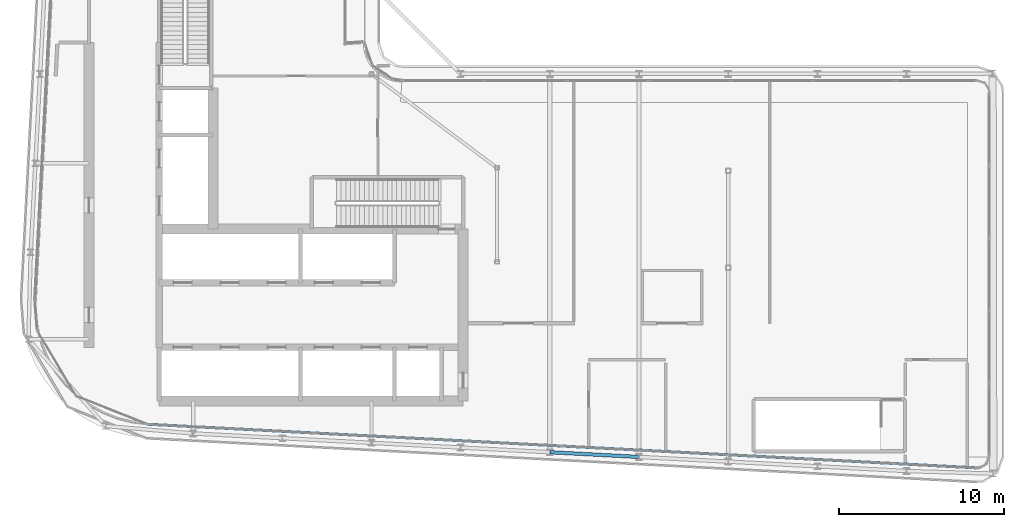
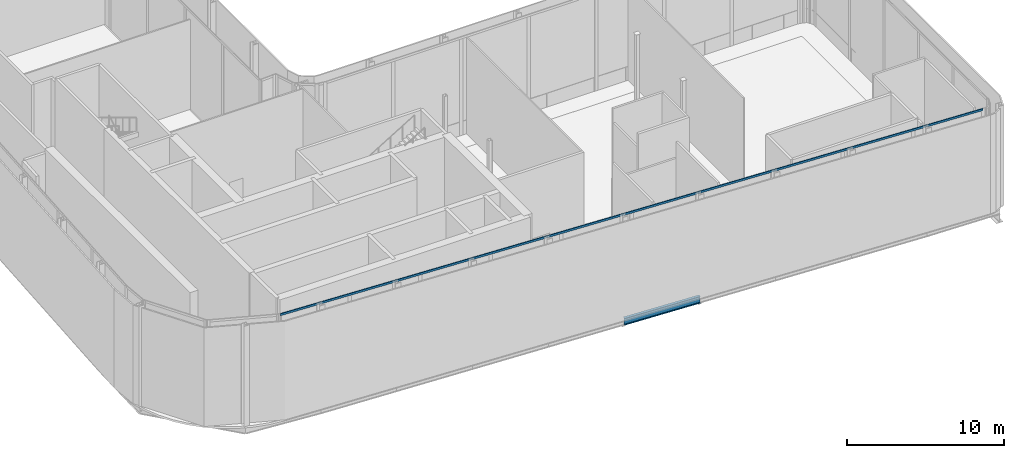
# One storey, part 6 of 27: 1 beam, 1 member, 1 element without a shape of its own.
"""IFC4 building model written with IfcOpenShell, lengths in metres."""

from ifc_helpers import new_model, si_unit, direction, frame, origin, origin_2d, place, context, subcontext, project, spatial, rectangle, i_section, extrude, material, layer, layer_set, material_profile, profile_set, type_object, element, aggregate, save


model = new_model("IFC4")

# Units and contexts
model_context = context("Model", 3, precision=1e-05, world=origin(), true_north=direction((0.0, 1.0)))
body_context = subcontext(model_context, "Body", "Model", "MODEL_VIEW")
ifc_project = project(units=[si_unit("LENGTHUNIT", "METRE"), si_unit("AREAUNIT", "SQUARE_METRE"), si_unit("VOLUMEUNIT", "CUBIC_METRE"), si_unit("PLANEANGLEUNIT", "RADIAN"), si_unit("MASSUNIT", "GRAM", prefix="KILO")], contexts=[model_context])

# Site, building, storey
site_placement = place(None, origin())
site = spatial("IfcSite", under=ifc_project, at=site_placement, CompositionType="ELEMENT")
building_placement = place(site_placement, origin())
building = spatial("IfcBuilding", under=site, at=building_placement, Name="Kheshtan School and Residences Tower", CompositionType="ELEMENT")
storey_placement = place(building_placement, frame((0.0, 0.0, 266.89990234375)))
storey = spatial("IfcBuildingStorey", under=building, at=storey_placement, Name="L63", CompositionType="ELEMENT", Elevation=266.89990234375)

# Beam
ifc_material_1 = material(Name="Steel ASTM A992 Grade 50", Category="steel")
ifc_material_profile_1 = material_profile(ifc_material_1, i_section(OverallWidth=0.208984375, OverallDepth=0.532958984375, WebThickness=0.01025390625, FlangeThickness=0.015625, FilletRadius=0.013916015625, at=origin_2d()), Name="W530x92")
ifc_profile_set_1 = profile_set([ifc_material_profile_1], Name="Steel ASTM A992 Grade 50")
beam_type = type_object("IfcBeamType", Name="Beam SP3 W530x92 ASTM A992 Grade 50", PredefinedType="BEAM", material=ifc_profile_set_1)
beam_placement = place(storey_placement, frame((63.800048828125, 22.410888671875, -0.41650390625), z_axis=(-0.998618203458, 0.052551724256, 0.0), x_axis=(-0.052551724256, -0.998618203458, 0.0)))
element("IfcBeam", 1, at=beam_placement, inside=storey, type_object=beam_type, Name="Spandrel beam C016-C018", PredefinedType="BEAM", context=body_context, shape_type="SweptSolid", body=[
    extrude(i_section(OverallWidth=0.208984375, OverallDepth=0.532958984375, WebThickness=0.01025390625, FlangeThickness=0.015625, FilletRadius=0.013916015625, at=origin_2d()), origin(), (0.0, 0.0, 1.0), 5.40771484375),
])

# Curtain wall, member
ifc_material_2 = material(Name="Clear low-e glass in thermally broken aluminium frame", Category="aluminium")
ifc_layer = layer(ifc_material_2, 0.25)
ifc_layer_set = layer_set([ifc_layer], Name="Curtain wall CW-K")
curtain_wall_type = type_object("IfcCurtainWallType", Name="Curtain wall CW-K", PredefinedType="NOTDEFINED", material=ifc_layer_set)
curtain_wall_placement = place(storey_placement, origin())
curtain_wall = element("IfcCurtainWall", 2, at=curtain_wall_placement, inside=storey, type_object=curtain_wall_type, Name="Curtain wall CWK6a", PredefinedType="NOTDEFINED")
ifc_material_3 = material(Name="Thermally broken aluminium, dark bronze anodised", Category="aluminium")
ifc_material_profile_2 = material_profile(ifc_material_3, rectangle(XDim=0.06005859375, YDim=0.159912109375, at=origin_2d()), Name="CW-K transom 60x160")
ifc_profile_set_2 = profile_set([ifc_material_profile_2], Name="Thermally broken aluminium, dark bronze anodised")
member_type = type_object("IfcMemberType", Name="CW-K transom 60x160", PredefinedType="USERDEFINED", material=ifc_profile_set_2)
member_placement = place(storey_placement, frame((84.1728515625, 21.7392578125, 7.570068359375), z_axis=(-0.9986173718, 0.052567525518, 0.0), x_axis=(-0.052567525518, -0.9986173718, 0.0)))
member = element("IfcMember", 3, at=member_placement, type_object=member_type, Name="CWK6a transom 1", ObjectType="TRANSOM", PredefinedType="USERDEFINED", context=body_context, shape_type="SweptSolid", body=[
    extrude(rectangle(XDim=0.06005859375, YDim=0.159912109375, at=origin_2d()), origin(), (0.0, 0.0, 1.0), 50.12158203125),
])
aggregate(curtain_wall, [member])

save(model, "model.ifc")
